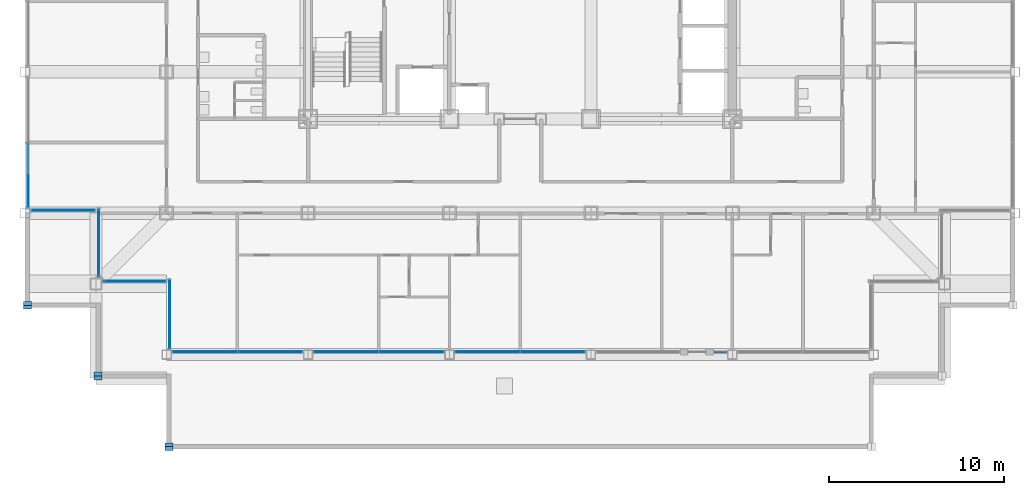
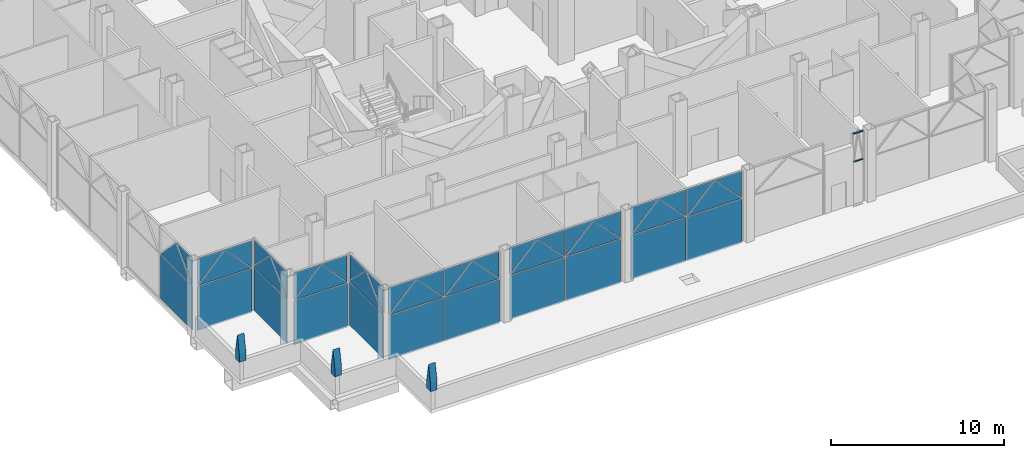
# One storey, part 12 of 29: 46 plates, 3 members, 9 elements without a shape of their own.
"""IFC4 building model written with IfcOpenShell, lengths in metres."""

from ifc_helpers import new_model, si_unit, direction, frame, origin, origin_2d, place, context, subcontext, project, spatial, polyline, rectangle, outline, extrude, material, layer, layer_set, material_profile, profile_set, type_object, element, aggregate, save


model = new_model("IFC4")

# Units and contexts
model_context = context("Model", 3, precision=1e-05, world=origin(), true_north=direction((0.0, 1.0)))
body_context = subcontext(model_context, "Body", "Model", "MODEL_VIEW")
ifc_project = project(units=[si_unit("LENGTHUNIT", "METRE"), si_unit("AREAUNIT", "SQUARE_METRE"), si_unit("VOLUMEUNIT", "CUBIC_METRE"), si_unit("PLANEANGLEUNIT", "RADIAN"), si_unit("MASSUNIT", "GRAM", prefix="KILO")], contexts=[model_context])

# Site, building, storey
site_placement = place(None, origin())
site = spatial("IfcSite", under=ifc_project, at=site_placement, CompositionType="ELEMENT")
building_placement = place(site_placement, origin())
building = spatial("IfcBuilding", under=site, at=building_placement, Name="Kopane Lantern Tower", CompositionType="ELEMENT")
storey_placement = place(building_placement, frame((0.0, 0.0, 165.0)))
storey = spatial("IfcBuildingStorey", under=building, at=storey_placement, Name="L42", CompositionType="ELEMENT", Elevation=165.0)

# Curtain wall, members
ifc_material_1 = material(Name="Aluminium and clear glass", Category="aluminium")
curtain_wall_type = type_object("IfcCurtainWallType", Name="CURTAIN WALL CW4 RESIDENCES LOBBY", PredefinedType="USERDEFINED", material=ifc_material_1)
curtain_wall_1_placement = place(storey_placement, origin())
curtain_wall_1 = element("IfcCurtainWall", 1, at=curtain_wall_1_placement, inside=storey, type_object=curtain_wall_type, Name="Curtain wall CW4 S L42", ObjectType="CURTAIN WALL", PredefinedType="USERDEFINED")
ifc_material_2 = material(Name="Aluminium", Category="aluminium")
ifc_material_profile = material_profile(ifc_material_2, rectangle(XDim=0.125, YDim=0.06005859375, at=origin_2d()), Name="AL 125x60")
ifc_profile_set = profile_set([ifc_material_profile], Name="Aluminium")
member_type = type_object("IfcMemberType", Name="TRANSOM CW4-T 60x125", PredefinedType="USERDEFINED", material=ifc_profile_set)
member_1_placement = place(storey_placement, frame((39.485107421875, 10.949951171875, 0.030029296875), z_axis=(1.0, 0.0, 0.0), x_axis=(0.0, 1.0, 0.0)))
member_1 = element("IfcMember", 2, at=member_1_placement, type_object=member_type, Name="CW4 transom 1.1", ObjectType="TRANSOM", PredefinedType="USERDEFINED", context=body_context, shape_type="SweptSolid", body=[
    extrude(rectangle(XDim=0.125, YDim=0.06005859375, at=origin_2d()), origin(), (0.0, 0.0, 1.0), 0.6748046875),
])
member_2_placement = place(storey_placement, frame((39.485107421875, 10.949951171875, 3.18994140625), z_axis=(1.0, 0.0, 0.0), x_axis=(0.0, 1.0, 0.0)))
member_2 = element("IfcMember", 3, at=member_2_placement, type_object=member_type, Name="CW4 transom 1.2", ObjectType="TRANSOM", PredefinedType="USERDEFINED", context=body_context, shape_type="SweptSolid", body=[
    extrude(rectangle(XDim=0.125, YDim=0.06005859375, at=origin_2d()), origin(), (0.0, 0.0, 1.0), 0.6748046875),
])
member_3_placement = place(storey_placement, frame((39.485107421875, 10.949951171875, 5.159912109375), z_axis=(1.0, 0.0, 0.0), x_axis=(0.0, 1.0, 0.0)))
member_3 = element("IfcMember", 4, at=member_3_placement, type_object=member_type, Name="CW4 transom 1.3", ObjectType="TRANSOM", PredefinedType="USERDEFINED", context=body_context, shape_type="SweptSolid", body=[
    extrude(rectangle(XDim=0.125, YDim=0.06005859375, at=origin_2d()), origin(), (0.0, 0.0, 1.0), 0.6748046875),
])
aggregate(curtain_wall_1, [member_1, member_2, member_3])

# Curtain wall, plates
curtain_wall_2_placement = place(storey_placement, origin())
curtain_wall_2 = element("IfcCurtainWall", 5, at=curtain_wall_2_placement, inside=storey, type_object=curtain_wall_type, Name="Curtain wall CW4 S L42", ObjectType="CURTAIN WALL", PredefinedType="USERDEFINED")
ifc_material_3 = material(Name="Insulated clear glass unit", Category="glass")
ifc_layer_1 = layer(ifc_material_3, 0.028076171875)
ifc_layer_set_1 = layer_set([ifc_layer_1], Name="CURTAIN PANEL CW4-P 28")
plate_type_1 = type_object("IfcPlateType", Name="CURTAIN PANEL CW4-P 28", PredefinedType="CURTAIN_PANEL", material=ifc_layer_set_1)
plate_1_placement = place(storey_placement, frame((10.294921875, 10.949951171875, 0.06005859375), z_axis=(0.0, 0.0, 1.0), x_axis=(1.0, 0.0, 0.0)))
plate_1 = element("IfcPlate", 6, at=plate_1_placement, type_object=plate_type_1, Name="CW4 panel 1.1", PredefinedType="CURTAIN_PANEL", context=body_context, shape_type="SweptSolid", body=[
    extrude(rectangle(XDim=3.669921875, YDim=0.028076171875, at=origin_2d()), origin(), (0.0, 0.0, 1.0), 3.10009765625),
])
plate_2_placement = place(storey_placement, frame((14.02490234375, 10.949951171875, 0.06005859375), z_axis=(0.0, 0.0, 1.0), x_axis=(1.0, 0.0, 0.0)))
plate_2 = element("IfcPlate", 7, at=plate_2_placement, type_object=plate_type_1, Name="CW4 panel 2.1", PredefinedType="CURTAIN_PANEL", context=body_context, shape_type="SweptSolid", body=[
    extrude(rectangle(XDim=3.669921875, YDim=0.028076171875, at=origin_2d()), origin(), (0.0, 0.0, 1.0), 3.10009765625),
])
plate_3_placement = place(storey_placement, frame((8.4599609375, 10.949951171875, 3.219970703125), z_axis=(0.0, 0.0, 1.0), x_axis=(1.0, 0.0, 0.0)))
plate_3 = element("IfcPlate", 8, at=plate_3_placement, type_object=plate_type_1, Name="CW4 lancet panel 1", PredefinedType="CURTAIN_PANEL", context=body_context, shape_type="SweptSolid", body=[
    extrude(outline(polyline([(0.0, 0.0), (3.669921875, 0.0), (3.669921875, 0.0009765625), (1.8349609375, 1.91357421875), (0.0, 0.0009765625), (0.0, 0.0)])), frame((0.0, 0.01416015625, 0.0), z_axis=(0.0, -1.0, 0.0), x_axis=(1.0, 0.0, 0.0)), (0.0, 0.0, 1.0), 0.028076171875),
])
plate_4_placement = place(storey_placement, frame((8.4599609375, 10.97998046875, 5.1298828125), z_axis=(0.0, 0.0, 1.0), x_axis=(1.0, 0.0, 0.0)))
plate_4 = element("IfcPlate", 9, at=plate_4_placement, type_object=plate_type_1, Name="CW4 spandrel panel 1L", PredefinedType="CURTAIN_PANEL", context=body_context, shape_type="SweptSolid", body=[
    extrude(outline(polyline([(0.0, 0.0), (1.8349609375, 0.0), (1.8349609375, -0.0009765625), (0.0, -1.868408203125), (0.0, 0.0)])), frame((0.0, 0.01416015625, 0.0), z_axis=(0.0, -1.0, 0.0), x_axis=(1.0, 0.0, 0.0)), (0.0, 0.0, 1.0), 0.028076171875),
])
plate_5_placement = place(storey_placement, frame((12.1298828125, 10.97998046875, 5.1298828125), z_axis=(0.0, 0.0, 1.0), x_axis=(-1.0, 0.0, 0.0)))
plate_5 = element("IfcPlate", 10, at=plate_5_placement, type_object=plate_type_1, Name="CW4 spandrel panel 1R", PredefinedType="CURTAIN_PANEL", context=body_context, shape_type="SweptSolid", body=[
    extrude(outline(polyline([(0.0, 0.0), (1.8349609375, 0.0), (1.8349609375, -0.0009765625), (0.0, -1.868408203125), (0.0, 0.0)])), frame((0.0, 0.01416015625, 0.0), z_axis=(0.0, -1.0, 0.0), x_axis=(1.0, 0.0, 0.0)), (0.0, 0.0, 1.0), 0.028076171875),
])
plate_6_placement = place(storey_placement, frame((12.18994140625, 10.949951171875, 3.219970703125), z_axis=(0.0, 0.0, 1.0), x_axis=(1.0, 0.0, 0.0)))
plate_6 = element("IfcPlate", 11, at=plate_6_placement, type_object=plate_type_1, Name="CW4 lancet panel 2", PredefinedType="CURTAIN_PANEL", context=body_context, shape_type="SweptSolid", body=[
    extrude(outline(polyline([(0.0, 0.0), (3.670166015625, 0.0), (3.669921875, 0.0009765625), (1.8349609375, 1.91357421875), (0.0, 0.0009765625), (0.0, 0.0)])), frame((0.0, 0.01416015625, 0.0), z_axis=(0.0, -1.0, 0.0), x_axis=(1.0, 0.0, 0.0)), (0.0, 0.0, 1.0), 0.028076171875),
])
plate_7_placement = place(storey_placement, frame((12.18994140625, 10.97998046875, 5.1298828125), z_axis=(0.0, 0.0, 1.0), x_axis=(1.0, 0.0, 0.0)))
plate_7 = element("IfcPlate", 12, at=plate_7_placement, type_object=plate_type_1, Name="CW4 spandrel panel 2L", PredefinedType="CURTAIN_PANEL", context=body_context, shape_type="SweptSolid", body=[
    extrude(outline(polyline([(0.0, 0.0), (1.8349609375, 0.0), (1.8349609375, -0.0009765625), (0.0, -1.868408203125), (0.0, 0.0)])), frame((0.0, 0.01416015625, 0.0), z_axis=(0.0, -1.0, 0.0), x_axis=(1.0, 0.0, 0.0)), (0.0, 0.0, 1.0), 0.028076171875),
])
plate_8_placement = place(storey_placement, frame((15.860107421875, 10.97998046875, 5.1298828125), z_axis=(0.0, 0.0, 1.0), x_axis=(-1.0, 0.0, 0.0)))
plate_8 = element("IfcPlate", 13, at=plate_8_placement, type_object=plate_type_1, Name="CW4 spandrel panel 2R", PredefinedType="CURTAIN_PANEL", context=body_context, shape_type="SweptSolid", body=[
    extrude(outline(polyline([(0.0, 0.0), (1.835205078125, 0.0), (1.8349609375, -0.0009765625), (0.0, -1.868408203125), (0.0, 0.0)])), frame((0.0, 0.01416015625, 0.0), z_axis=(0.0, -1.0, 0.0), x_axis=(1.0, 0.0, 0.0)), (0.0, 0.0, 1.0), 0.028076171875),
])
aggregate(curtain_wall_2, [plate_1, plate_2, plate_3, plate_4, plate_5, plate_6, plate_7, plate_8])

curtain_wall_3_placement = place(storey_placement, origin())
curtain_wall_3 = element("IfcCurtainWall", 14, at=curtain_wall_3_placement, inside=storey, type_object=curtain_wall_type, Name="Curtain wall CW4 S L42", ObjectType="CURTAIN WALL", PredefinedType="USERDEFINED")
plate_9_placement = place(storey_placement, frame((18.3798828125, 10.949951171875, 0.06005859375), z_axis=(0.0, 0.0, 1.0), x_axis=(1.0, 0.0, 0.0)))
plate_9 = element("IfcPlate", 15, at=plate_9_placement, type_object=plate_type_1, Name="CW4 panel 1.1", PredefinedType="CURTAIN_PANEL", context=body_context, shape_type="SweptSolid", body=[
    extrude(rectangle(XDim=3.679931640625, YDim=0.028076171875, at=origin_2d()), origin(), (0.0, 0.0, 1.0), 3.10009765625),
])
plate_10_placement = place(storey_placement, frame((22.1201171875, 10.949951171875, 0.06005859375), z_axis=(0.0, 0.0, 1.0), x_axis=(1.0, 0.0, 0.0)))
plate_10 = element("IfcPlate", 16, at=plate_10_placement, type_object=plate_type_1, Name="CW4 panel 2.1", PredefinedType="CURTAIN_PANEL", context=body_context, shape_type="SweptSolid", body=[
    extrude(rectangle(XDim=3.679931640625, YDim=0.028076171875, at=origin_2d()), origin(), (0.0, 0.0, 1.0), 3.10009765625),
])
plate_11_placement = place(storey_placement, frame((16.5400390625, 10.949951171875, 3.219970703125), z_axis=(0.0, 0.0, 1.0), x_axis=(1.0, 0.0, 0.0)))
plate_11 = element("IfcPlate", 17, at=plate_11_placement, type_object=plate_type_1, Name="CW4 lancet panel 1", PredefinedType="CURTAIN_PANEL", context=body_context, shape_type="SweptSolid", body=[
    extrude(outline(polyline([(0.0, 0.0), (3.679931640625, 0.0), (3.679931640625, 0.0009765625), (1.840087890625, 1.913330078125), (0.0, 0.0009765625), (0.0, 0.0)])), frame((0.0, 0.01416015625, 0.0), z_axis=(0.0, -1.0, 0.0), x_axis=(1.0, 0.0, 0.0)), (0.0, 0.0, 1.0), 0.028076171875),
])
plate_12_placement = place(storey_placement, frame((16.5400390625, 10.97998046875, 5.1298828125), z_axis=(0.0, 0.0, 1.0), x_axis=(1.0, 0.0, 0.0)))
plate_12 = element("IfcPlate", 18, at=plate_12_placement, type_object=plate_type_1, Name="CW4 spandrel panel 1L", PredefinedType="CURTAIN_PANEL", context=body_context, shape_type="SweptSolid", body=[
    extrude(outline(polyline([(0.0, 0.0), (1.83984375, 0.0), (1.840087890625, -0.0009765625), (0.0, -1.8681640625), (0.0, 0.0)])), frame((0.0, 0.01416015625, 0.0), z_axis=(0.0, -1.0, 0.0), x_axis=(1.0, 0.0, 0.0)), (0.0, 0.0, 1.0), 0.028076171875),
])
plate_13_placement = place(storey_placement, frame((20.219970703125, 10.97998046875, 5.1298828125), z_axis=(0.0, 0.0, 1.0), x_axis=(-1.0, 0.0, 0.0)))
plate_13 = element("IfcPlate", 19, at=plate_13_placement, type_object=plate_type_1, Name="CW4 spandrel panel 1R", PredefinedType="CURTAIN_PANEL", context=body_context, shape_type="SweptSolid", body=[
    extrude(outline(polyline([(0.0, 0.0), (1.840087890625, 0.0), (1.840087890625, -0.0009765625), (0.0, -1.8681640625), (0.0, 0.0)])), frame((0.0, 0.01416015625, 0.0), z_axis=(0.0, -1.0, 0.0), x_axis=(1.0, 0.0, 0.0)), (0.0, 0.0, 1.0), 0.028076171875),
])
plate_14_placement = place(storey_placement, frame((20.280029296875, 10.949951171875, 3.219970703125), z_axis=(0.0, 0.0, 1.0), x_axis=(1.0, 0.0, 0.0)))
plate_14 = element("IfcPlate", 20, at=plate_14_placement, type_object=plate_type_1, Name="CW4 lancet panel 2", PredefinedType="CURTAIN_PANEL", context=body_context, shape_type="SweptSolid", body=[
    extrude(outline(polyline([(0.0, 0.0), (3.679931640625, 0.0), (3.679931640625, 0.0009765625), (1.840087890625, 1.913330078125), (0.0, 0.0009765625), (0.0, 0.0)])), frame((0.0, 0.01416015625, 0.0), z_axis=(0.0, -1.0, 0.0), x_axis=(1.0, 0.0, 0.0)), (0.0, 0.0, 1.0), 0.028076171875),
])
plate_15_placement = place(storey_placement, frame((20.280029296875, 10.97998046875, 5.1298828125), z_axis=(0.0, 0.0, 1.0), x_axis=(1.0, 0.0, 0.0)))
plate_15 = element("IfcPlate", 21, at=plate_15_placement, type_object=plate_type_1, Name="CW4 spandrel panel 2L", PredefinedType="CURTAIN_PANEL", context=body_context, shape_type="SweptSolid", body=[
    extrude(outline(polyline([(0.0, 0.0), (1.840087890625, 0.0), (1.840087890625, -0.0009765625), (0.0, -1.8681640625), (0.0, 0.0)])), frame((0.0, 0.01416015625, 0.0), z_axis=(0.0, -1.0, 0.0), x_axis=(1.0, 0.0, 0.0)), (0.0, 0.0, 1.0), 0.028076171875),
])
plate_16_placement = place(storey_placement, frame((23.9599609375, 10.97998046875, 5.1298828125), z_axis=(0.0, 0.0, 1.0), x_axis=(-1.0, 0.0, 0.0)))
plate_16 = element("IfcPlate", 22, at=plate_16_placement, type_object=plate_type_1, Name="CW4 spandrel panel 2R", PredefinedType="CURTAIN_PANEL", context=body_context, shape_type="SweptSolid", body=[
    extrude(outline(polyline([(0.0, 0.0), (1.83984375, 0.0), (1.840087890625, -0.0009765625), (0.0, -1.8681640625), (0.0, 0.0)])), frame((0.0, 0.01416015625, 0.0), z_axis=(0.0, -1.0, 0.0), x_axis=(1.0, 0.0, 0.0)), (0.0, 0.0, 1.0), 0.028076171875),
])
aggregate(curtain_wall_3, [plate_9, plate_10, plate_11, plate_12, plate_13, plate_14, plate_15, plate_16])

curtain_wall_4_placement = place(storey_placement, origin())
curtain_wall_4 = element("IfcCurtainWall", 23, at=curtain_wall_4_placement, inside=storey, type_object=curtain_wall_type, Name="Curtain wall CW4 S L42", ObjectType="CURTAIN WALL", PredefinedType="USERDEFINED")
plate_17_placement = place(storey_placement, frame((26.47998046875, 10.949951171875, 0.06005859375), z_axis=(0.0, 0.0, 1.0), x_axis=(1.0, 0.0, 0.0)))
plate_17 = element("IfcPlate", 24, at=plate_17_placement, type_object=plate_type_1, Name="CW4 panel 1.1", PredefinedType="CURTAIN_PANEL", context=body_context, shape_type="SweptSolid", body=[
    extrude(rectangle(XDim=3.679931640625, YDim=0.028076171875, at=origin_2d()), origin(), (0.0, 0.0, 1.0), 3.10009765625),
])
plate_18_placement = place(storey_placement, frame((30.219970703125, 10.949951171875, 0.06005859375), z_axis=(0.0, 0.0, 1.0), x_axis=(1.0, 0.0, 0.0)))
plate_18 = element("IfcPlate", 25, at=plate_18_placement, type_object=plate_type_1, Name="CW4 panel 2.1", PredefinedType="CURTAIN_PANEL", context=body_context, shape_type="SweptSolid", body=[
    extrude(rectangle(XDim=3.679931640625, YDim=0.028076171875, at=origin_2d()), origin(), (0.0, 0.0, 1.0), 3.10009765625),
])
plate_19_placement = place(storey_placement, frame((24.639892578125, 10.949951171875, 3.219970703125), z_axis=(0.0, 0.0, 1.0), x_axis=(1.0, 0.0, 0.0)))
plate_19 = element("IfcPlate", 26, at=plate_19_placement, type_object=plate_type_1, Name="CW4 lancet panel 1", PredefinedType="CURTAIN_PANEL", context=body_context, shape_type="SweptSolid", body=[
    extrude(outline(polyline([(0.0, 0.0), (3.68017578125, 0.0), (3.679931640625, 0.0009765625), (1.840087890625, 1.913330078125), (0.0, 0.0009765625), (0.0, 0.0)])), frame((0.0, 0.01416015625, 0.0), z_axis=(0.0, -1.0, 0.0), x_axis=(1.0, 0.0, 0.0)), (0.0, 0.0, 1.0), 0.028076171875),
])
plate_20_placement = place(storey_placement, frame((24.639892578125, 10.97998046875, 5.1298828125), z_axis=(0.0, 0.0, 1.0), x_axis=(1.0, 0.0, 0.0)))
plate_20 = element("IfcPlate", 27, at=plate_20_placement, type_object=plate_type_1, Name="CW4 spandrel panel 1L", PredefinedType="CURTAIN_PANEL", context=body_context, shape_type="SweptSolid", body=[
    extrude(outline(polyline([(0.0, 0.0), (1.840087890625, 0.0), (1.840087890625, -0.0009765625), (0.0, -1.8681640625), (0.0, 0.0)])), frame((0.0, 0.01416015625, 0.0), z_axis=(0.0, -1.0, 0.0), x_axis=(1.0, 0.0, 0.0)), (0.0, 0.0, 1.0), 0.028076171875),
])
plate_21_placement = place(storey_placement, frame((28.320068359375, 10.97998046875, 5.1298828125), z_axis=(0.0, 0.0, 1.0), x_axis=(-1.0, 0.0, 0.0)))
plate_21 = element("IfcPlate", 28, at=plate_21_placement, type_object=plate_type_1, Name="CW4 spandrel panel 1R", PredefinedType="CURTAIN_PANEL", context=body_context, shape_type="SweptSolid", body=[
    extrude(outline(polyline([(0.0, 0.0), (1.840087890625, 0.0), (1.840087890625, -0.0009765625), (0.0, -1.8681640625), (0.0, 0.0)])), frame((0.0, 0.01416015625, 0.0), z_axis=(0.0, -1.0, 0.0), x_axis=(1.0, 0.0, 0.0)), (0.0, 0.0, 1.0), 0.028076171875),
])
plate_22_placement = place(storey_placement, frame((28.3798828125, 10.949951171875, 3.219970703125), z_axis=(0.0, 0.0, 1.0), x_axis=(1.0, 0.0, 0.0)))
plate_22 = element("IfcPlate", 29, at=plate_22_placement, type_object=plate_type_1, Name="CW4 lancet panel 2", PredefinedType="CURTAIN_PANEL", context=body_context, shape_type="SweptSolid", body=[
    extrude(outline(polyline([(0.0, 0.0), (3.68017578125, 0.0), (3.679931640625, 0.0009765625), (1.840087890625, 1.913330078125), (0.0, 0.0009765625), (0.0, 0.0)])), frame((0.0, 0.01416015625, 0.0), z_axis=(0.0, -1.0, 0.0), x_axis=(1.0, 0.0, 0.0)), (0.0, 0.0, 1.0), 0.028076171875),
])
plate_23_placement = place(storey_placement, frame((28.3798828125, 10.97998046875, 5.1298828125), z_axis=(0.0, 0.0, 1.0), x_axis=(1.0, 0.0, 0.0)))
plate_23 = element("IfcPlate", 30, at=plate_23_placement, type_object=plate_type_1, Name="CW4 spandrel panel 2L", PredefinedType="CURTAIN_PANEL", context=body_context, shape_type="SweptSolid", body=[
    extrude(outline(polyline([(0.0, 0.0), (1.840087890625, 0.0), (1.840087890625, -0.0009765625), (0.0, -1.8681640625), (0.0, 0.0)])), frame((0.0, 0.01416015625, 0.0), z_axis=(0.0, -1.0, 0.0), x_axis=(1.0, 0.0, 0.0)), (0.0, 0.0, 1.0), 0.028076171875),
])
plate_24_placement = place(storey_placement, frame((32.06005859375, 10.97998046875, 5.1298828125), z_axis=(0.0, 0.0, 1.0), x_axis=(-1.0, 0.0, 0.0)))
plate_24 = element("IfcPlate", 31, at=plate_24_placement, type_object=plate_type_1, Name="CW4 spandrel panel 2R", PredefinedType="CURTAIN_PANEL", context=body_context, shape_type="SweptSolid", body=[
    extrude(outline(polyline([(0.0, 0.0), (1.840087890625, 0.0), (1.840087890625, -0.0009765625), (0.0, -1.8681640625), (0.0, 0.0)])), frame((0.0, 0.01416015625, 0.0), z_axis=(0.0, -1.0, 0.0), x_axis=(1.0, 0.0, 0.0)), (0.0, 0.0, 1.0), 0.028076171875),
])
aggregate(curtain_wall_4, [plate_17, plate_18, plate_19, plate_20, plate_21, plate_22, plate_23, plate_24])

curtain_wall_5_placement = place(storey_placement, origin())
curtain_wall_5 = element("IfcCurtainWall", 32, at=curtain_wall_5_placement, inside=storey, type_object=curtain_wall_type, Name="Curtain wall CW4 W L42", ObjectType="CURTAIN WALL", PredefinedType="USERDEFINED")
plate_25_placement = place(storey_placement, frame((0.14990234375, 21.080078125, 0.06005859375), z_axis=(0.0, 0.0, 1.0), x_axis=(0.0, -1.0, 0.0)))
plate_25 = element("IfcPlate", 33, at=plate_25_placement, type_object=plate_type_1, Name="CW4 panel 2.1", PredefinedType="CURTAIN_PANEL", context=body_context, shape_type="SweptSolid", body=[
    extrude(rectangle(XDim=3.679931640625, YDim=0.028076171875, at=origin_2d()), origin(), (0.0, 0.0, 1.0), 3.10009765625),
])
plate_26_placement = place(storey_placement, frame((0.14990234375, 22.919921875, 3.219970703125), z_axis=(0.0, 0.0, 1.0), x_axis=(0.0, -1.0, 0.0)))
plate_26 = element("IfcPlate", 34, at=plate_26_placement, type_object=plate_type_1, Name="CW4 lancet panel 2", PredefinedType="CURTAIN_PANEL", context=body_context, shape_type="SweptSolid", body=[
    extrude(outline(polyline([(0.0, 0.0), (3.679931640625, 0.0), (3.679931640625, 0.0009765625), (1.840087890625, 1.913330078125), (0.0, 0.0009765625), (0.0, 0.0)])), frame((0.0, 0.01416015625, 0.0), z_axis=(0.0, -1.0, 0.0), x_axis=(1.0, 0.0, 0.0)), (0.0, 0.0, 1.0), 0.028076171875),
])
plate_27_placement = place(storey_placement, frame((0.179931640625, 19.239990234375, 5.1298828125), z_axis=(0.0, 0.0, 1.0), x_axis=(0.0, 1.0, 0.0)))
plate_27 = element("IfcPlate", 35, at=plate_27_placement, type_object=plate_type_1, Name="CW4 spandrel panel 2R", PredefinedType="CURTAIN_PANEL", context=body_context, shape_type="SweptSolid", body=[
    extrude(outline(polyline([(0.0, 0.0), (1.840087890625, 0.0), (1.840087890625, -0.0009765625), (0.0, -1.8681640625), (0.0, 0.0)])), frame((0.0, 0.01416015625, 0.0), z_axis=(0.0, -1.0, 0.0), x_axis=(1.0, 0.0, 0.0)), (0.0, 0.0, 1.0), 0.028076171875),
])
aggregate(curtain_wall_5, [plate_25, plate_26, plate_27])

curtain_wall_6_placement = place(storey_placement, origin())
curtain_wall_6 = element("IfcCurtainWall", 36, at=curtain_wall_6_placement, inside=storey, type_object=curtain_wall_type, Name="Curtain wall CW4 S L42", ObjectType="CURTAIN WALL", PredefinedType="USERDEFINED")
plate_28_placement = place(storey_placement, frame((2.175048828125, 19.050048828125, 0.06005859375), z_axis=(0.0, 0.0, 1.0), x_axis=(1.0, 0.0, 0.0)))
plate_28 = element("IfcPlate", 37, at=plate_28_placement, type_object=plate_type_1, Name="CW4 panel 1.1", PredefinedType="CURTAIN_PANEL", context=body_context, shape_type="SweptSolid", body=[
    extrude(rectangle(XDim=3.6298828125, YDim=0.028076171875, at=origin_2d()), origin(), (0.0, 0.0, 1.0), 3.10009765625),
])
plate_29_placement = place(storey_placement, frame((0.360107421875, 19.050048828125, 3.219970703125), z_axis=(0.0, 0.0, 1.0), x_axis=(1.0, 0.0, 0.0)))
plate_29 = element("IfcPlate", 38, at=plate_29_placement, type_object=plate_type_1, Name="CW4 lancet panel 1", PredefinedType="CURTAIN_PANEL", context=body_context, shape_type="SweptSolid", body=[
    extrude(outline(polyline([(0.0, 0.0), (3.6298828125, 0.0), (3.6298828125, 0.0009765625), (1.81494140625, 1.914794921875), (0.0, 0.0009765625), (0.0, 0.0)])), frame((0.0, 0.01416015625, 0.0), z_axis=(0.0, -1.0, 0.0), x_axis=(1.0, 0.0, 0.0)), (0.0, 0.0, 1.0), 0.028076171875),
])
plate_30_placement = place(storey_placement, frame((0.360107421875, 19.080078125, 5.1298828125), z_axis=(0.0, 0.0, 1.0), x_axis=(1.0, 0.0, 0.0)))
plate_30 = element("IfcPlate", 39, at=plate_30_placement, type_object=plate_type_1, Name="CW4 spandrel panel 1L", PredefinedType="CURTAIN_PANEL", context=body_context, shape_type="SweptSolid", body=[
    extrude(outline(polyline([(0.0, 0.0), (1.81494140625, 0.0), (1.81494140625, -0.0009765625), (0.0, -1.86865234375), (0.0, 0.0)])), frame((0.0, 0.01416015625, 0.0), z_axis=(0.0, -1.0, 0.0), x_axis=(1.0, 0.0, 0.0)), (0.0, 0.0, 1.0), 0.028076171875),
])
plate_31_placement = place(storey_placement, frame((3.989990234375, 19.080078125, 5.1298828125), z_axis=(0.0, 0.0, 1.0), x_axis=(-1.0, 0.0, 0.0)))
plate_31 = element("IfcPlate", 40, at=plate_31_placement, type_object=plate_type_1, Name="CW4 spandrel panel 1R", PredefinedType="CURTAIN_PANEL", context=body_context, shape_type="SweptSolid", body=[
    extrude(outline(polyline([(0.0, 0.0), (1.81494140625, 0.0), (1.81494140625, -0.0009765625), (0.0, -1.86865234375), (0.0, 0.0)])), frame((0.0, 0.01416015625, 0.0), z_axis=(0.0, -1.0, 0.0), x_axis=(1.0, 0.0, 0.0)), (0.0, 0.0, 1.0), 0.028076171875),
])
aggregate(curtain_wall_6, [plate_28, plate_29, plate_30, plate_31])

curtain_wall_7_placement = place(storey_placement, origin())
curtain_wall_7 = element("IfcCurtainWall", 41, at=curtain_wall_7_placement, inside=storey, type_object=curtain_wall_type, Name="Curtain wall CW4 W L42", ObjectType="CURTAIN WALL", PredefinedType="USERDEFINED")
plate_32_placement = place(storey_placement, frame((4.199951171875, 17.202392578125, 0.06005859375), z_axis=(0.0, 0.0, 1.0), x_axis=(0.0, -1.0, 0.0)))
plate_32 = element("IfcPlate", 42, at=plate_32_placement, type_object=plate_type_1, Name="CW4 panel 1.1", PredefinedType="CURTAIN_PANEL", context=body_context, shape_type="SweptSolid", body=[
    extrude(rectangle(XDim=3.875, YDim=0.028076171875, at=origin_2d()), origin(), (0.0, 0.0, 1.0), 3.10009765625),
])
plate_33_placement = place(storey_placement, frame((4.199951171875, 19.139892578125, 3.219970703125), z_axis=(0.0, 0.0, 1.0), x_axis=(0.0, -1.0, 0.0)))
plate_33 = element("IfcPlate", 43, at=plate_33_placement, type_object=plate_type_1, Name="CW4 lancet panel 1", PredefinedType="CURTAIN_PANEL", context=body_context, shape_type="SweptSolid", body=[
    extrude(outline(polyline([(0.0, 0.0), (3.875, 0.0), (3.875, 0.0009765625), (1.9375, 1.90869140625), (0.0, 0.0009765625), (0.0, 0.0)])), frame((0.0, 0.01416015625, 0.0), z_axis=(0.0, -1.0, 0.0), x_axis=(1.0, 0.0, 0.0)), (0.0, 0.0, 1.0), 0.028076171875),
])
plate_34_placement = place(storey_placement, frame((4.22998046875, 19.139892578125, 5.1298828125), z_axis=(0.0, 0.0, 1.0), x_axis=(0.0, -1.0, 0.0)))
plate_34 = element("IfcPlate", 44, at=plate_34_placement, type_object=plate_type_1, Name="CW4 spandrel panel 1L", PredefinedType="CURTAIN_PANEL", context=body_context, shape_type="SweptSolid", body=[
    extrude(outline(polyline([(0.0, 0.0), (1.9375, 0.0), (1.9375, -0.0009765625), (0.0, -1.8671875), (0.0, 0.0)])), frame((0.0, 0.01416015625, 0.0), z_axis=(0.0, -1.0, 0.0), x_axis=(1.0, 0.0, 0.0)), (0.0, 0.0, 1.0), 0.028076171875),
])
plate_35_placement = place(storey_placement, frame((4.22998046875, 15.264892578125, 5.1298828125), z_axis=(0.0, 0.0, 1.0), x_axis=(0.0, 1.0, 0.0)))
plate_35 = element("IfcPlate", 45, at=plate_35_placement, type_object=plate_type_1, Name="CW4 spandrel panel 1R", PredefinedType="CURTAIN_PANEL", context=body_context, shape_type="SweptSolid", body=[
    extrude(outline(polyline([(0.0, 0.0), (1.9375, 0.0), (1.9375, -0.0009765625), (0.0, -1.8671875), (0.0, 0.0)])), frame((0.0, 0.01416015625, 0.0), z_axis=(0.0, -1.0, 0.0), x_axis=(1.0, 0.0, 0.0)), (0.0, 0.0, 1.0), 0.028076171875),
])
aggregate(curtain_wall_7, [plate_32, plate_33, plate_34, plate_35])

curtain_wall_8_placement = place(storey_placement, origin())
curtain_wall_8 = element("IfcCurtainWall", 46, at=curtain_wall_8_placement, inside=storey, type_object=curtain_wall_type, Name="Curtain wall CW4 S L42", ObjectType="CURTAIN WALL", PredefinedType="USERDEFINED")
plate_36_placement = place(storey_placement, frame((6.25244140625, 15.0, 0.06005859375), z_axis=(0.0, 0.0, 1.0), x_axis=(1.0, 0.0, 0.0)))
plate_36 = element("IfcPlate", 47, at=plate_36_placement, type_object=plate_type_1, Name="CW4 panel 1.1", PredefinedType="CURTAIN_PANEL", context=body_context, shape_type="SweptSolid", body=[
    extrude(rectangle(XDim=3.574951171875, YDim=0.028076171875, at=origin_2d()), origin(), (0.0, 0.0, 1.0), 3.10009765625),
])
plate_37_placement = place(storey_placement, frame((4.465087890625, 15.0, 3.219970703125), z_axis=(0.0, 0.0, 1.0), x_axis=(1.0, 0.0, 0.0)))
plate_37 = element("IfcPlate", 48, at=plate_37_placement, type_object=plate_type_1, Name="CW4 lancet panel 1", PredefinedType="CURTAIN_PANEL", context=body_context, shape_type="SweptSolid", body=[
    extrude(outline(polyline([(0.0, 0.0), (3.574951171875, 0.0), (3.574951171875, 0.0009765625), (1.78759765625, 1.916015625), (0.0, 0.0009765625), (0.0, 0.0)])), frame((0.0, 0.01416015625, 0.0), z_axis=(0.0, -1.0, 0.0), x_axis=(1.0, 0.0, 0.0)), (0.0, 0.0, 1.0), 0.028076171875),
])
plate_38_placement = place(storey_placement, frame((4.465087890625, 15.030029296875, 5.1298828125), z_axis=(0.0, 0.0, 1.0), x_axis=(1.0, 0.0, 0.0)))
plate_38 = element("IfcPlate", 49, at=plate_38_placement, type_object=plate_type_1, Name="CW4 spandrel panel 1L", PredefinedType="CURTAIN_PANEL", context=body_context, shape_type="SweptSolid", body=[
    extrude(outline(polyline([(0.0, 0.0), (1.787353515625, 0.0), (1.78759765625, -0.0009765625), (0.0, -1.868896484375), (0.0, 0.0)])), frame((0.0, 0.01416015625, 0.0), z_axis=(0.0, -1.0, 0.0), x_axis=(1.0, 0.0, 0.0)), (0.0, 0.0, 1.0), 0.028076171875),
])
plate_39_placement = place(storey_placement, frame((8.0400390625, 15.030029296875, 5.1298828125), z_axis=(0.0, 0.0, 1.0), x_axis=(-1.0, 0.0, 0.0)))
plate_39 = element("IfcPlate", 50, at=plate_39_placement, type_object=plate_type_1, Name="CW4 spandrel panel 1R", PredefinedType="CURTAIN_PANEL", context=body_context, shape_type="SweptSolid", body=[
    extrude(outline(polyline([(0.0, 0.0), (1.78759765625, 0.0), (1.78759765625, -0.0009765625), (0.0, -1.868896484375), (0.0, 0.0)])), frame((0.0, 0.01416015625, 0.0), z_axis=(0.0, -1.0, 0.0), x_axis=(1.0, 0.0, 0.0)), (0.0, 0.0, 1.0), 0.028076171875),
])
aggregate(curtain_wall_8, [plate_36, plate_37, plate_38, plate_39])

curtain_wall_9_placement = place(storey_placement, origin())
curtain_wall_9 = element("IfcCurtainWall", 51, at=curtain_wall_9_placement, inside=storey, type_object=curtain_wall_type, Name="Curtain wall CW4 W L42", ObjectType="CURTAIN WALL", PredefinedType="USERDEFINED")
plate_40_placement = place(storey_placement, frame((8.25, 13.114990234375, 0.06005859375), z_axis=(0.0, 0.0, 1.0), x_axis=(0.0, -1.0, 0.0)))
plate_40 = element("IfcPlate", 52, at=plate_40_placement, type_object=plate_type_1, Name="CW4 panel 1.1", PredefinedType="CURTAIN_PANEL", context=body_context, shape_type="SweptSolid", body=[
    extrude(rectangle(XDim=3.949951171875, YDim=0.028076171875, at=origin_2d()), origin(), (0.0, 0.0, 1.0), 3.10009765625),
])
plate_41_placement = place(storey_placement, frame((8.25, 15.090087890625, 3.219970703125), z_axis=(0.0, 0.0, 1.0), x_axis=(0.0, -1.0, 0.0)))
plate_41 = element("IfcPlate", 53, at=plate_41_placement, type_object=plate_type_1, Name="CW4 lancet panel 1", PredefinedType="CURTAIN_PANEL", context=body_context, shape_type="SweptSolid", body=[
    extrude(outline(polyline([(0.0, 0.0), (3.9501953125, 0.0), (3.949951171875, 0.0009765625), (1.97509765625, 1.9072265625), (0.0, 0.0009765625), (0.0, 0.0)])), frame((0.0, 0.01416015625, 0.0), z_axis=(0.0, -1.0, 0.0), x_axis=(1.0, 0.0, 0.0)), (0.0, 0.0, 1.0), 0.028076171875),
])
plate_42_placement = place(storey_placement, frame((8.280029296875, 15.090087890625, 5.1298828125), z_axis=(0.0, 0.0, 1.0), x_axis=(0.0, -1.0, 0.0)))
plate_42 = element("IfcPlate", 54, at=plate_42_placement, type_object=plate_type_1, Name="CW4 spandrel panel 1L", PredefinedType="CURTAIN_PANEL", context=body_context, shape_type="SweptSolid", body=[
    extrude(outline(polyline([(0.0, 0.0), (1.97509765625, 0.0), (1.97509765625, -0.0009765625), (0.0, -1.86669921875), (0.0, 0.0)])), frame((0.0, 0.01416015625, 0.0), z_axis=(0.0, -1.0, 0.0), x_axis=(1.0, 0.0, 0.0)), (0.0, 0.0, 1.0), 0.028076171875),
])
plate_43_placement = place(storey_placement, frame((8.280029296875, 11.139892578125, 5.1298828125), z_axis=(0.0, 0.0, 1.0), x_axis=(0.0, 1.0, 0.0)))
plate_43 = element("IfcPlate", 55, at=plate_43_placement, type_object=plate_type_1, Name="CW4 spandrel panel 1R", PredefinedType="CURTAIN_PANEL", context=body_context, shape_type="SweptSolid", body=[
    extrude(outline(polyline([(0.0, 0.0), (1.97509765625, 0.0), (1.97509765625, -0.0009765625), (0.0, -1.86669921875), (0.0, 0.0)])), frame((0.0, 0.01416015625, 0.0), z_axis=(0.0, -1.0, 0.0), x_axis=(1.0, 0.0, 0.0)), (0.0, 0.0, 1.0), 0.028076171875),
])
aggregate(curtain_wall_9, [plate_40, plate_41, plate_42, plate_43])

# Plates
ifc_material_4 = material(Name="Terracotta rainscreen on light steel framing", Category="masonry")
ifc_layer_2 = layer(ifc_material_4, 0.449951171875)
ifc_layer_set_2 = layer_set([ifc_layer_2], Name="PINNACLE TP1 450x450x1800 TERRACOTTA")
plate_type_2 = type_object("IfcPlateType", Name="PINNACLE TP1 450x450x1800 TERRACOTTA", PredefinedType="USERDEFINED", material=ifc_layer_set_2)
plate_44_placement = place(storey_placement, frame((0.125, 13.85009765625, 1.3798828125), z_axis=(0.0, 0.0, 1.0), x_axis=(0.0, -1.0, 0.0)))
element("IfcPlate", 56, at=plate_44_placement, inside=storey, type_object=plate_type_2, Name="Pinnacle L42", ObjectType="PINNACLE", PredefinedType="USERDEFINED", context=body_context, shape_type="SweptSolid", body=[
    extrude(outline(polyline([(0.0, 0.0), (0.4501953125, 0.0), (0.449951171875, 0.60009765625), (0.22509765625, 1.800048828125), (0.0, 0.60009765625), (0.0, 0.0)])), frame((0.0, 0.22509765625, 0.0), z_axis=(0.0, -1.0, 0.0), x_axis=(1.0, 0.0, 0.0)), (0.0, 0.0, 1.0), 0.449951171875),
])
for number, where, z_axis, x_axis, name in (
    (57, (4.175048828125, 9.800048828125, 1.3798828125), (0.0, 0.0, 1.0), (0.0, -1.0, 0.0), "Pinnacle L42"),
    (58, (8.22509765625, 5.75, 1.3798828125), (0.0, 0.0, 1.0), (0.0, -1.0, 0.0), "Pinnacle L42"),
):
    element("IfcPlate", number, at=place(storey_placement, frame(where, z_axis=z_axis, x_axis=x_axis)), inside=storey, type_object=plate_type_2, Name=name, ObjectType="PINNACLE", PredefinedType="USERDEFINED", context=body_context, shape_type="SweptSolid", body=[
        extrude(outline(polyline([(0.0, 0.0), (0.449951171875, 0.0), (0.449951171875, 0.60009765625), (0.22509765625, 1.800048828125), (0.0, 0.60009765625), (0.0, 0.0)])), frame((0.0, 0.22509765625, 0.0), z_axis=(0.0, -1.0, 0.0), x_axis=(1.0, 0.0, 0.0)), (0.0, 0.0, 1.0), 0.449951171875),
    ])

save(model, "model.ifc")
